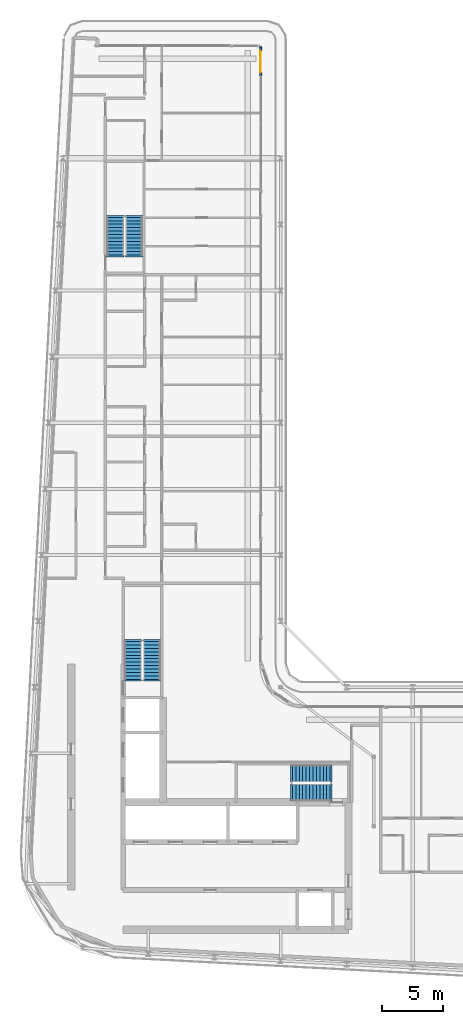
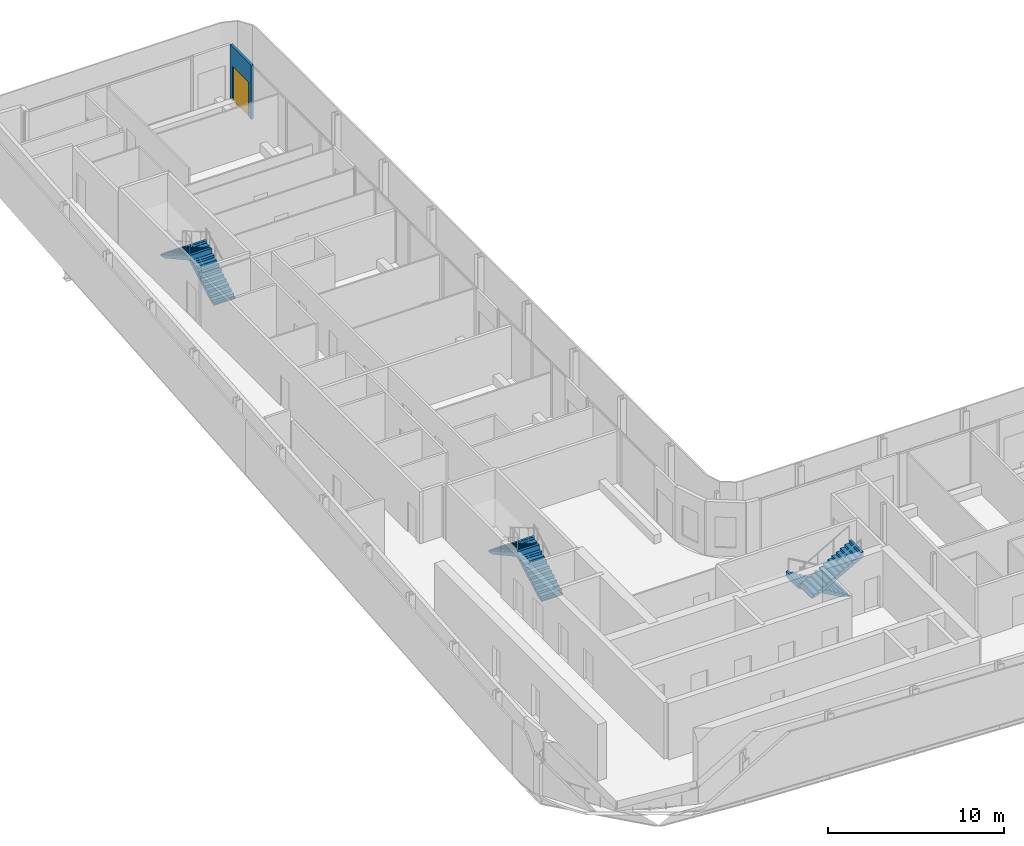
# One storey, part 15 of 21: 6 stair flights, 1 door, 1 wall, 1 opening, 3 elements without a shape of their own.
"""IFC4 building model written with IfcOpenShell, lengths in metres."""

from ifc_helpers import new_model, si_unit, direction, frame, frame_2d, origin, place, context, subcontext, project, spatial, polyline, rectangle, outline, extrude, source, transform, mapped, material, layer, layer_set, type_object, element, fill, aggregate, save


model = new_model("IFC4")

# Units and contexts
model_context = context("Model", 3, precision=1e-05, world=origin(), true_north=direction((0.0, 1.0)))
body_context = subcontext(model_context, "Body", "Model", "MODEL_VIEW")
ifc_project = project(units=[si_unit("LENGTHUNIT", "METRE"), si_unit("AREAUNIT", "SQUARE_METRE"), si_unit("VOLUMEUNIT", "CUBIC_METRE"), si_unit("PLANEANGLEUNIT", "RADIAN"), si_unit("MASSUNIT", "GRAM", prefix="KILO")], contexts=[model_context])

# Site, building, storey
site_placement = place(None, origin())
site = spatial("IfcSite", under=ifc_project, at=site_placement, CompositionType="ELEMENT")
building_placement = place(site_placement, origin())
building = spatial("IfcBuilding", under=site, at=building_placement, Name="Kheshtan School and Residences Tower", CompositionType="ELEMENT")
storey_placement = place(building_placement, frame((0.0, 0.0, 298.10009765625)))
storey = spatial("IfcBuildingStorey", under=building, at=storey_placement, Name="L70", CompositionType="ELEMENT", Elevation=298.10009765625)

# Wall, opening, door
ifc_material_1 = material(Name="Aluminium frame wall with insulated infill", Category="aluminium")
ifc_layer_1 = layer(ifc_material_1, 0.14990234375)
ifc_layer_set_1 = layer_set([ifc_layer_1], Name="Glazing frame wall 150")
wall_type = type_object("IfcWallType", Name="Glazing frame wall 150", PredefinedType="SOLIDWALL", material=ifc_layer_set_1)
wall_placement = place(storey_placement, frame((45.97509765625, 97.89990234375, 0.0), z_axis=(0.0, 0.0, 1.0), x_axis=(0.0, -1.0, 0.0)))
wall = element("IfcWall", 1, at=wall_placement, inside=storey, type_object=wall_type, Name="Balcony door wall L70 8.1", PredefinedType="SOLIDWALL", context=body_context, shape_type="SweptSolid", body=[
    extrude(rectangle(XDim=2.39990234375, YDim=0.14990234375, at=frame_2d((1.199951171875, 0.0))), origin(), (0.0, 0.0, 1.0), 3.75),
])
opening_placement = place(wall_placement, frame((0.300048828125, 0.0, 0.0)))
opening = element("IfcOpeningElement", 2, at=opening_placement, cuts=wall, Name="Opening BD", PredefinedType="OPENING", context=body_context, shape_type="SweptSolid", body=[
    extrude(rectangle(XDim=1.800048828125, YDim=2.39990234375, at=frame_2d((0.89990234375, 1.199951171875))), frame((0.0, 0.0849609375, 0.0), z_axis=(0.0, -1.0, 0.0), x_axis=(1.0, 0.0, 0.0)), (0.0, 0.0, 1.0), 0.169921875),
])
ifc_material_2 = material(Name="Clear low-e glass in thermally broken aluminium frame", Category="aluminium")
door_type = type_object("IfcDoorType", Name="Balcony sliding door", OperationType="SLIDING_TO_LEFT", PredefinedType="DOOR", material=ifc_material_2)
shared_shape = source(origin(), body_context, "Body", "SweptSolid", [
    extrude(rectangle(XDim=1.800048828125, YDim=2.39990234375, at=frame_2d((0.89990234375, 1.199951171875))), frame((0.0, 0.02490234375, 0.0), z_axis=(0.0, -1.0, 0.0), x_axis=(1.0, 0.0, 0.0)), (0.0, 0.0, 1.0), 0.050048828125),
])
door_placement = place(opening_placement, origin())
door = element("IfcDoor", 3, at=door_placement, inside=storey, type_object=door_type, Name="Balcony door L70 8.1", OperationType="SLIDING_TO_LEFT", OverallHeight=2.39990234375, OverallWidth=1.800048828125, PredefinedType="DOOR", context=body_context, shape_type="MappedRepresentation", body=[
    mapped(shared_shape, transform((0.0, 0.0, 0.0), x_axis=(1.0, 0.0, 0.0), y_axis=(0.0, 1.0, 0.0), z_axis=(0.0, 0.0, 1.0), scale=1.0)),
])
fill(opening, door)

# Stair, stair flights
ifc_material_3 = material(Name="Concrete C40/50", Category="concrete")
stair_type = type_object("IfcStairType", Name="Exit stair, half-turn", PredefinedType="HALF_TURN_STAIR", material=ifc_material_3)
stair_1_placement = place(storey_placement, origin())
stair_1 = element("IfcStair", 4, at=stair_1_placement, inside=storey, type_object=stair_type, Name="L70 Protected Exit Stair ST1", PredefinedType="HALF_TURN_STAIR")
ifc_layer_2 = layer(ifc_material_3, 0.14990234375)
ifc_layer_set_2 = layer_set([ifc_layer_2], Name="Stair flight 1400 Concrete C40/50")
stair_flight_type = type_object("IfcStairFlightType", Name="Stair flight 1400 Concrete C40/50", PredefinedType="STRAIGHT", material=ifc_layer_set_2)
stair_flight_1_placement = place(storey_placement, frame((51.64990234375, 38.550048828125, 0.0), z_axis=(0.0, 0.0, 1.0), x_axis=(-1.0, 0.0, 0.0)))
stair_flight_1 = element("IfcStairFlight", 5, at=stair_flight_1_placement, type_object=stair_flight_type, Name="ST1 flight 1", NumberOfRisers=12, NumberOfTreads=11, PredefinedType="STRAIGHT", RiserHeight=0.1625, TreadLength=0.28, context=body_context, shape_type="SweptSolid", body=[
    extrude(outline(polyline([(-0.14990234375, -0.10009765625), (-0.14990234375, 0.0), (0.0, 0.0), (0.0, 0.16259765625), (0.280029296875, 0.16259765625), (0.280029296875, 0.324951171875), (0.56005859375, 0.324951171875), (0.56005859375, 0.487548828125), (0.840087890625, 0.487548828125), (0.840087890625, 0.64990234375), (1.1201171875, 0.64990234375), (1.1201171875, 0.8125), (1.39990234375, 0.8125), (1.39990234375, 0.97509765625), (1.679931640625, 0.97509765625), (1.679931640625, 1.137451171875), (1.9599609375, 1.137451171875), (1.9599609375, 1.300048828125), (2.239990234375, 1.300048828125), (2.239990234375, 1.46240234375), (2.52001953125, 1.46240234375), (2.52001953125, 1.625), (2.800048828125, 1.625), (2.800048828125, 1.78759765625), (3.080078125, 1.78759765625), (3.080078125, 1.949951171875), (3.080078125, 1.969970703125), (3.22998046875, 1.969970703125), (3.22998046875, 1.6142578125), (0.298583984375, 0.0), (-0.14990234375, -0.10009765625)])), frame((0.0, 0.699951171875, 0.0), z_axis=(0.0, -1.0, 0.0), x_axis=(1.0, 0.0, 0.0)), (0.0, 0.0, 1.0), 1.39990234375),
])
stair_flight_2_placement = place(storey_placement, frame((48.570068359375, 37.0, 1.949951171875), z_axis=(0.0, 0.0, 1.0), x_axis=(1.0, 0.0, 0.0)))
stair_flight_2 = element("IfcStairFlight", 6, at=stair_flight_2_placement, type_object=stair_flight_type, Name="ST1 flight 2", NumberOfRisers=12, NumberOfTreads=11, PredefinedType="STRAIGHT", RiserHeight=0.1625, TreadLength=0.28, context=body_context, shape_type="SweptSolid", body=[
    extrude(outline(polyline([(-0.14990234375, -0.10009765625), (-0.14990234375, 0.0), (0.0, 0.0), (0.0, 0.16259765625), (0.280029296875, 0.16259765625), (0.280029296875, 0.324951171875), (0.56005859375, 0.324951171875), (0.56005859375, 0.487548828125), (0.840087890625, 0.487548828125), (0.840087890625, 0.64990234375), (1.1201171875, 0.64990234375), (1.1201171875, 0.8125), (1.39990234375, 0.8125), (1.39990234375, 0.97509765625), (1.679931640625, 0.97509765625), (1.679931640625, 1.137451171875), (1.9599609375, 1.137451171875), (1.9599609375, 1.300048828125), (2.239990234375, 1.300048828125), (2.239990234375, 1.46240234375), (2.52001953125, 1.46240234375), (2.52001953125, 1.625), (2.800048828125, 1.625), (2.800048828125, 1.78759765625), (3.080078125, 1.78759765625), (3.080078125, 1.949951171875), (3.080078125, 1.969970703125), (3.22998046875, 1.969970703125), (3.22998046875, 1.6142578125), (0.298583984375, 0.0), (-0.14990234375, -0.10009765625)])), frame((0.0, 0.699951171875, 0.0), z_axis=(0.0, -1.0, 0.0), x_axis=(1.0, 0.0, 0.0)), (0.0, 0.0, 1.0), 1.39990234375),
])
aggregate(stair_1, [stair_flight_1, stair_flight_2])

stair_2_placement = place(storey_placement, origin())
stair_2 = element("IfcStair", 7, at=stair_2_placement, inside=storey, type_object=stair_type, Name="L70 Protected Exit Stair ST2", PredefinedType="HALF_TURN_STAIR")
stair_flight_3_placement = place(storey_placement, frame((37.10009765625, 46.25, 0.0), z_axis=(0.0, 0.0, 1.0), x_axis=(0.0, 1.0, 0.0)))
stair_flight_3 = element("IfcStairFlight", 8, at=stair_flight_3_placement, type_object=stair_flight_type, Name="ST2 flight 1", NumberOfRisers=12, NumberOfTreads=11, PredefinedType="STRAIGHT", RiserHeight=0.1625, TreadLength=0.28, context=body_context, shape_type="SweptSolid", body=[
    extrude(outline(polyline([(-0.14990234375, -0.10009765625), (-0.14990234375, 0.0), (0.0, 0.0), (0.0, 0.16259765625), (0.280029296875, 0.16259765625), (0.280029296875, 0.324951171875), (0.56005859375, 0.324951171875), (0.56005859375, 0.487548828125), (0.840087890625, 0.487548828125), (0.840087890625, 0.64990234375), (1.1201171875, 0.64990234375), (1.1201171875, 0.8125), (1.39990234375, 0.8125), (1.39990234375, 0.97509765625), (1.679931640625, 0.97509765625), (1.679931640625, 1.137451171875), (1.9599609375, 1.137451171875), (1.9599609375, 1.300048828125), (2.239990234375, 1.300048828125), (2.239990234375, 1.46240234375), (2.52001953125, 1.46240234375), (2.52001953125, 1.625), (2.800048828125, 1.625), (2.800048828125, 1.78759765625), (3.080078125, 1.78759765625), (3.080078125, 1.949951171875), (3.080078125, 1.969970703125), (3.22998046875, 1.969970703125), (3.22998046875, 1.6142578125), (0.298583984375, 0.0), (-0.14990234375, -0.10009765625)])), frame((0.0, 0.699951171875, 0.0), z_axis=(0.0, -1.0, 0.0), x_axis=(1.0, 0.0, 0.0)), (0.0, 0.0, 1.0), 1.39990234375),
])
stair_flight_4_placement = place(storey_placement, frame((35.550048828125, 49.330078125, 1.949951171875), z_axis=(0.0, 0.0, 1.0), x_axis=(0.0, -1.0, 0.0)))
stair_flight_4 = element("IfcStairFlight", 9, at=stair_flight_4_placement, type_object=stair_flight_type, Name="ST2 flight 2", NumberOfRisers=12, NumberOfTreads=11, PredefinedType="STRAIGHT", RiserHeight=0.1625, TreadLength=0.28, context=body_context, shape_type="SweptSolid", body=[
    extrude(outline(polyline([(-0.14990234375, -0.10009765625), (-0.14990234375, 0.0), (0.0, 0.0), (0.0, 0.16259765625), (0.280029296875, 0.16259765625), (0.280029296875, 0.324951171875), (0.56005859375, 0.324951171875), (0.56005859375, 0.487548828125), (0.840087890625, 0.487548828125), (0.840087890625, 0.64990234375), (1.1201171875, 0.64990234375), (1.1201171875, 0.8125), (1.39990234375, 0.8125), (1.39990234375, 0.97509765625), (1.679931640625, 0.97509765625), (1.679931640625, 1.137451171875), (1.9599609375, 1.137451171875), (1.9599609375, 1.300048828125), (2.239990234375, 1.300048828125), (2.239990234375, 1.46240234375), (2.52001953125, 1.46240234375), (2.52001953125, 1.625), (2.800048828125, 1.625), (2.800048828125, 1.78759765625), (3.080078125, 1.78759765625), (3.080078125, 1.949951171875), (3.080078125, 1.969970703125), (3.22998046875, 1.969970703125), (3.22998046875, 1.6142578125), (0.298583984375, 0.0), (-0.14990234375, -0.10009765625)])), frame((0.0, 0.699951171875, 0.0), z_axis=(0.0, -1.0, 0.0), x_axis=(1.0, 0.0, 0.0)), (0.0, 0.0, 1.0), 1.39990234375),
])
aggregate(stair_2, [stair_flight_3, stair_flight_4])

stair_3_placement = place(storey_placement, origin())
stair_3 = element("IfcStair", 10, at=stair_3_placement, inside=storey, type_object=stair_type, Name="L70 Protected Exit Stair ST3", PredefinedType="HALF_TURN_STAIR")
stair_flight_5_placement = place(storey_placement, frame((35.64990234375, 80.89990234375, 0.0), z_axis=(0.0, 0.0, 1.0), x_axis=(0.0, 1.0, 0.0)))
stair_flight_5 = element("IfcStairFlight", 11, at=stair_flight_5_placement, type_object=stair_flight_type, Name="ST3 flight 1", NumberOfRisers=12, NumberOfTreads=11, PredefinedType="STRAIGHT", RiserHeight=0.1625, TreadLength=0.28, context=body_context, shape_type="SweptSolid", body=[
    extrude(outline(polyline([(-0.14990234375, -0.10009765625), (-0.14990234375, 0.0), (0.0, 0.0), (0.0, 0.16259765625), (0.280029296875, 0.16259765625), (0.280029296875, 0.324951171875), (0.56005859375, 0.324951171875), (0.56005859375, 0.487548828125), (0.840087890625, 0.487548828125), (0.840087890625, 0.64990234375), (1.1201171875, 0.64990234375), (1.1201171875, 0.8125), (1.39990234375, 0.8125), (1.39990234375, 0.97509765625), (1.679931640625, 0.97509765625), (1.679931640625, 1.137451171875), (1.9599609375, 1.137451171875), (1.9599609375, 1.300048828125), (2.239990234375, 1.300048828125), (2.239990234375, 1.46240234375), (2.52001953125, 1.46240234375), (2.52001953125, 1.625), (2.800048828125, 1.625), (2.800048828125, 1.78759765625), (3.080078125, 1.78759765625), (3.080078125, 1.949951171875), (3.080078125, 1.969970703125), (3.22998046875, 1.969970703125), (3.22998046875, 1.6142578125), (0.298583984375, 0.0), (-0.14990234375, -0.10009765625)])), frame((0.0, 0.699951171875, 0.0), z_axis=(0.0, -1.0, 0.0), x_axis=(1.0, 0.0, 0.0)), (0.0, 0.0, 1.0), 1.39990234375),
])
stair_flight_6_placement = place(storey_placement, frame((34.10009765625, 83.97998046875, 1.949951171875), z_axis=(0.0, 0.0, 1.0), x_axis=(0.0, -1.0, 0.0)))
stair_flight_6 = element("IfcStairFlight", 12, at=stair_flight_6_placement, type_object=stair_flight_type, Name="ST3 flight 2", NumberOfRisers=12, NumberOfTreads=11, PredefinedType="STRAIGHT", RiserHeight=0.1625, TreadLength=0.28, context=body_context, shape_type="SweptSolid", body=[
    extrude(outline(polyline([(-0.14990234375, -0.10009765625), (-0.14990234375, 0.0), (0.0, 0.0), (0.0, 0.16259765625), (0.280029296875, 0.16259765625), (0.280029296875, 0.324951171875), (0.56005859375, 0.324951171875), (0.56005859375, 0.487548828125), (0.840087890625, 0.487548828125), (0.840087890625, 0.64990234375), (1.1201171875, 0.64990234375), (1.1201171875, 0.8125), (1.39990234375, 0.8125), (1.39990234375, 0.97509765625), (1.679931640625, 0.97509765625), (1.679931640625, 1.137451171875), (1.9599609375, 1.137451171875), (1.9599609375, 1.300048828125), (2.239990234375, 1.300048828125), (2.239990234375, 1.46240234375), (2.52001953125, 1.46240234375), (2.52001953125, 1.625), (2.800048828125, 1.625), (2.800048828125, 1.78759765625), (3.080078125, 1.78759765625), (3.080078125, 1.949951171875), (3.080078125, 1.969970703125), (3.22998046875, 1.969970703125), (3.22998046875, 1.6142578125), (0.298583984375, 0.0), (-0.14990234375, -0.10009765625)])), frame((0.0, 0.699951171875, 0.0), z_axis=(0.0, -1.0, 0.0), x_axis=(1.0, 0.0, 0.0)), (0.0, 0.0, 1.0), 1.39990234375),
])
aggregate(stair_3, [stair_flight_5, stair_flight_6])

save(model, "model.ifc")
